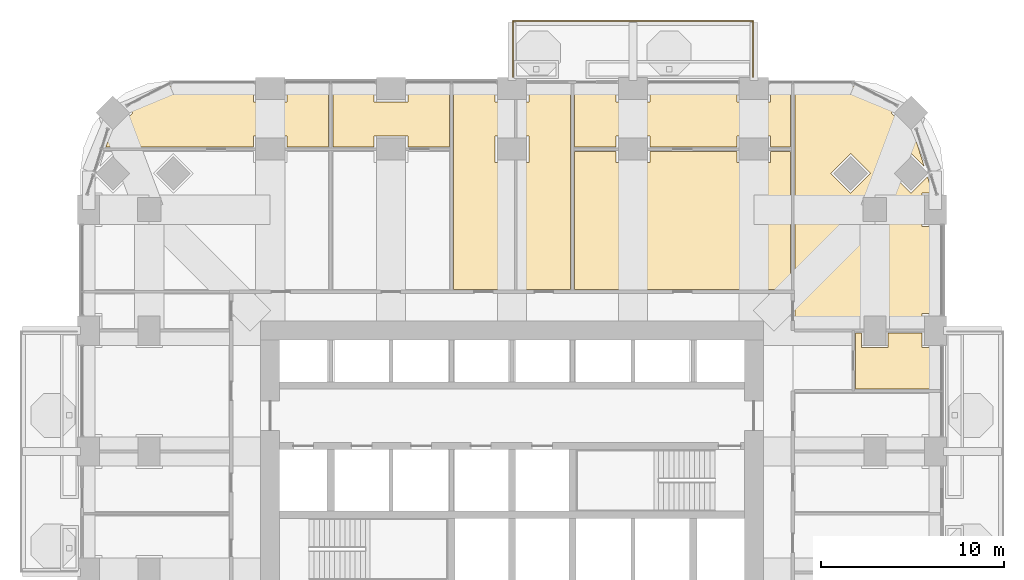
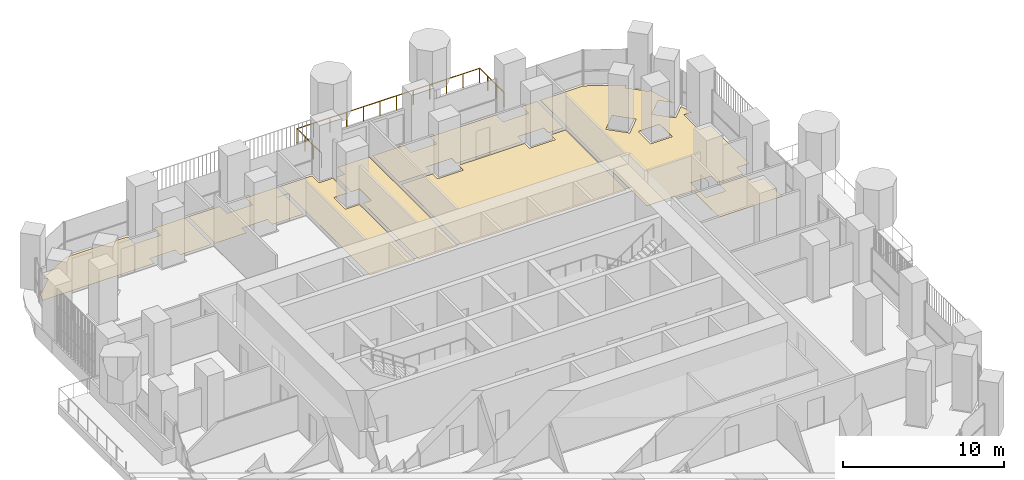
# One storey, part 21 of 22: 8 coverings, 1 railing.
"""IFC4 building model written with IfcOpenShell, lengths in metres."""

import ifcopenshell
import ifcopenshell.guid

model = None  # the IFC model being written
_history = None  # IfcOwnerHistory: only IFC2X3 demands one
_inside = {}  # id of a spatial element -> (the spatial element, [elements in it])
_under = {}  # id of a project, library or spatial element -> (it, [spatial elements below it])
_declared = {}  # id of a project -> (the project, [libraries it declares])
_typed = {}  # id of a type object -> (the type object, [elements of that type])
_made_of = {}  # id of a material, layer set ... -> (it, [elements and type objects made of it])


def new_model(schema):
    """Start an empty IFC model of exactly this schema.

    Asked for "IFC4X3", IfcOpenShell would pick the latest addendum, in which some entities
    have other attributes; the version numbers below select the first issue.
    IFC2X3 requires an IfcOwnerHistory on every rooted entity: one is made here for all.
    """
    global model, _history
    if schema == "IFC4X3":
        model = ifcopenshell.file(schema_version=(4, 3, 0, 0))
    else:
        model = ifcopenshell.file(schema=schema)
    _inside.clear()
    _under.clear()
    _declared.clear()
    _typed.clear()
    _made_of.clear()
    _history = None
    if model.schema == "IFC2X3":
        org = make("IfcOrganization", Name="unknown")
        user = make(
            "IfcPersonAndOrganization",
            ThePerson=make("IfcPerson", FamilyName="unknown"),
            TheOrganization=org,
        )
        app = make(
            "IfcApplication",
            ApplicationDeveloper=org,
            Version="unknown",
            ApplicationFullName="unknown",
            ApplicationIdentifier="unknown",
        )
        _history = make(
            "IfcOwnerHistory",
            OwningUser=user,
            OwningApplication=app,
            ChangeAction="ADDED",
            CreationDate=0,
        )
    return model


def make(cls, **values):
    """One entity of the class cls with the attributes given. An attribute that is None is left unset."""
    return model.create_entity(
        cls, **{name: value for name, value in values.items() if value is not None}
    )


def rooted(cls, **values):
    """An entity with a GlobalId (a new one), such as an element, a storey or a relation."""
    return make(cls, GlobalId=ifcopenshell.guid.new(), OwnerHistory=_history, **values)


def si_unit(unit_type, name, prefix=None):
    """IfcSIUnit, for example si_unit("LENGTHUNIT", "METRE", prefix="MILLI")."""
    return make("IfcSIUnit", UnitType=unit_type, Prefix=prefix, Name=name)


def assignment(units):
    """IfcUnitAssignment: the units of a project."""
    return None if units is None else make("IfcUnitAssignment", Units=units)


def point(xyz):
    """IfcCartesianPoint."""
    return None if xyz is None else make("IfcCartesianPoint", Coordinates=xyz)


def direction(xyz):
    """IfcDirection."""
    return None if xyz is None else make("IfcDirection", DirectionRatios=xyz)


def frame(location, z_axis=None, x_axis=None):
    """IfcAxis2Placement3D, a coordinate frame: its origin and axes. An axis left out is left unset."""
    return make(
        "IfcAxis2Placement3D",
        Location=point(location),
        Axis=direction(z_axis),
        RefDirection=direction(x_axis),
    )


def origin():
    """The frame at (0, 0, 0) with its axes left unset."""
    return frame((0.0, 0.0, 0.0))


def place(relative_to, where):
    """IfcLocalPlacement: puts the frame where relative to a parent placement (None: the world)."""
    return make(
        "IfcLocalPlacement", PlacementRelTo=relative_to, RelativePlacement=where
    )


def context(
    kind, dimensions, precision=None, world=None, true_north=None, identifier=None
):
    """IfcGeometricRepresentationContext, for example the 3D "Model" context."""
    return make(
        "IfcGeometricRepresentationContext",
        ContextIdentifier=identifier,
        ContextType=kind,
        CoordinateSpaceDimension=dimensions,
        Precision=precision,
        WorldCoordinateSystem=world,
        TrueNorth=true_north,
    )


def subcontext(parent, identifier, kind, view, scale=None):
    """IfcGeometricRepresentationSubContext, for example "Body" below "Model"."""
    return make(
        "IfcGeometricRepresentationSubContext",
        ContextIdentifier=identifier,
        ContextType=kind,
        ParentContext=parent,
        TargetScale=scale,
        TargetView=view,
    )


def project(units=None, contexts=None):
    """IfcProject with its units and contexts."""
    return rooted(
        "IfcProject",
        Name="project",
        RepresentationContexts=contexts,
        UnitsInContext=assignment(units),
    )


def spatial(cls, under=None, at=None, **own):
    """A site, building, storey or space (cls), placed at a placement, below another one or the project."""
    s = rooted(cls, ObjectPlacement=at, **own)
    if under is not None:
        _under.setdefault(under.id(), (under, []))[1].append(s)
    return s


def polyline(points):
    """IfcPolyline through the points."""
    return make("IfcPolyline", Points=[point(p) for p in points])


def outline(outer, holes=None, kind="AREA"):
    """IfcArbitraryClosedProfileDef: a profile drawn as a closed curve; with holes, ...WithVoids."""
    if holes is None:
        return make("IfcArbitraryClosedProfileDef", ProfileType=kind, OuterCurve=outer)
    return make(
        "IfcArbitraryProfileDefWithVoids",
        ProfileType=kind,
        OuterCurve=outer,
        InnerCurves=holes,
    )


def extrude(swept, where, along, depth):
    """IfcExtrudedAreaSolid: the profile swept, set in the frame where, extruded along a direction by depth."""
    return make(
        "IfcExtrudedAreaSolid",
        SweptArea=swept,
        Position=where,
        ExtrudedDirection=direction(along),
        Depth=depth,
    )


def shape(context_of_items, identifier, shape_type, items):
    """IfcShapeRepresentation: the items that make up one representation, for example the "Body"."""
    return make(
        "IfcShapeRepresentation",
        ContextOfItems=context_of_items,
        RepresentationIdentifier=identifier,
        RepresentationType=shape_type,
        Items=items,
    )


def material(Name=None, Category=None):
    """IfcMaterial."""
    return make("IfcMaterial", Name=Name, Category=Category)


def layer(
    of_material, thickness, ventilated=None, Name=None, Category=None, Priority=None
):
    """IfcMaterialLayer: one layer of a wall or slab, of a material (None: an air gap)."""
    return make(
        "IfcMaterialLayer",
        Material=of_material,
        LayerThickness=thickness,
        IsVentilated=ventilated,
        Name=Name,
        Category=Category,
        Priority=Priority,
    )


def layer_set(layers, Name=None):
    """IfcMaterialLayerSet."""
    return make("IfcMaterialLayerSet", MaterialLayers=layers, LayerSetName=Name)


def made_of(thing, what):
    """Note that an element or type object is made of a material, layer set ...; save() writes the relation."""
    if what is not None:
        _made_of.setdefault(what.id(), (what, []))[1].append(thing)
    return thing


def type_object(cls, material=None, **own):
    """A type object (cls), such as IfcWallType, which elements share."""
    return made_of(rooted(cls, **own), material)


def element(
    cls,
    number,
    at=None,
    inside=None,
    cuts=None,
    type_object=None,
    material=None,
    context=None,
    identifier="Body",
    shape_type=None,
    held_by="IfcProductDefinitionShape",
    body=None,
    shapes=None,
    **own,
):
    """One element of the class cls, such as IfcWall. Its Tag is "e" and its number.

    at: its placement. inside: the storey or other place that contains it. cuts: it is an
    opening in that element (IfcRelVoidsElement). A single representation is given by context,
    identifier, shape_type and body (its items); several are given by shapes. held_by: the class
    of the entity that holds the representations. save() writes the other relations.
    """
    e = rooted(cls, Tag="e%d" % number, ObjectPlacement=at, **own)
    if body is not None:
        shapes = [shape(context, identifier, shape_type, body)]
    if shapes is not None:
        e.Representation = make(held_by, Representations=shapes)
    if inside is not None:
        _inside.setdefault(inside.id(), (inside, []))[1].append(e)
    if cuts is not None:
        rooted(
            "IfcRelVoidsElement", RelatingBuildingElement=cuts, RelatedOpeningElement=e
        )
    if type_object is not None:
        _typed.setdefault(type_object.id(), (type_object, []))[1].append(e)
    return made_of(e, material)


def aggregate(whole, parts):
    """IfcRelAggregates: a whole, such as a stair, and the parts it consists of."""
    return rooted("IfcRelAggregates", RelatingObject=whole, RelatedObjects=parts)


def save(model, path):
    """Write the relations noted so far, then the file.

    IfcRelAggregates (storeys below a building ...), IfcRelContainedInSpatialStructure (elements
    in a storey), IfcRelDefinesByType, IfcRelAssociatesMaterial and IfcRelDeclares: one each for
    every whole, place, type object, material and project.
    """
    for whole, parts in _under.values():
        aggregate(whole, parts)
    for where, things in _inside.values():
        rooted(
            "IfcRelContainedInSpatialStructure",
            RelatedElements=things,
            RelatingStructure=where,
        )
    for kind, things in _typed.values():
        rooted("IfcRelDefinesByType", RelatedObjects=things, RelatingType=kind)
    for what, things in _made_of.values():
        rooted("IfcRelAssociatesMaterial", RelatedObjects=things, RelatingMaterial=what)
    for by, libraries in _declared.values():
        rooted("IfcRelDeclares", RelatingContext=by, RelatedDefinitions=libraries)
    model.write(path)


model = new_model("IFC4")

# Units and contexts
model_context = context("Model", 3, precision=1e-05, world=origin(), true_north=direction((0.0, 1.0)))
body_context = subcontext(model_context, "Body", "Model", "MODEL_VIEW")
ifc_project = project(units=[si_unit("LENGTHUNIT", "METRE"), si_unit("AREAUNIT", "SQUARE_METRE"), si_unit("VOLUMEUNIT", "CUBIC_METRE"), si_unit("PLANEANGLEUNIT", "RADIAN"), si_unit("MASSUNIT", "GRAM", prefix="KILO")], contexts=[model_context])

# Site, building, storey
site_placement = place(None, origin())
site = spatial("IfcSite", under=ifc_project, at=site_placement, CompositionType="ELEMENT")
building_placement = place(site_placement, origin())
building = spatial("IfcBuilding", under=site, at=building_placement, Name="Cobogo Forest Laboratory Tower", CompositionType="ELEMENT")
storey_placement = place(building_placement, frame((0.0, 0.0, 136.800048828125)))
storey = spatial("IfcBuildingStorey", under=building, at=storey_placement, Name="L31", CompositionType="ELEMENT", Elevation=136.800048828125)

# Railing
ifc_material_1 = material(Name="Laminated glass balustrade", Category="glass")
railing_type = type_object("IfcRailingType", Name="BG1 glass balustrade 1100", PredefinedType="GUARDRAIL", material=ifc_material_1)
railing_placement = place(storey_placement, frame((26.449951171875, 46.85009765625, 0.0)))
element("IfcRailing", 1, at=railing_placement, inside=storey, type_object=railing_type, Name="Balcony balustrade BAL-N1 L31", PredefinedType="GUARDRAIL", context=body_context, shape_type="SweptSolid", body=[
    extrude(outline(polyline([(0.022216796875, 0.00927734375), (0.00927734375, 0.022216796875), (-0.00927734375, 0.022216796875), (-0.022216796875, 0.00927734375), (-0.022216796875, -0.00927734375), (-0.00927734375, -0.022216796875), (0.00927734375, -0.022216796875), (0.022216796875, -0.00927734375), (0.022216796875, 0.00927734375)])), frame((0.0, 0.0, 1.077880859375), z_axis=(0.0, 1.0, 0.0), x_axis=(-1.0, 0.0, 0.0)), (0.0, 0.0, 1.0), 3.0498046875),
    extrude(outline(polyline([(0.022216796875, 0.00927734375), (0.00927734375, 0.022216796875), (-0.00927734375, 0.022216796875), (-0.022216796875, 0.00927734375), (-0.022216796875, -0.00927734375), (-0.00927734375, -0.022216796875), (0.00927734375, -0.022216796875), (0.022216796875, -0.00927734375), (0.022216796875, 0.00927734375)])), frame((0.0, 3.0498046875, 1.077880859375), z_axis=(1.0, 0.0, 0.0), x_axis=(0.0, 1.0, 0.0)), (0.0, 0.0, 1.0), 13.10009765625),
    extrude(outline(polyline([(0.022216796875, 0.00927734375), (0.00927734375, 0.022216796875), (-0.00927734375, 0.022216796875), (-0.022216796875, 0.00927734375), (-0.022216796875, -0.00927734375), (-0.00927734375, -0.022216796875), (0.00927734375, -0.022216796875), (0.022216796875, -0.00927734375), (0.022216796875, 0.00927734375)])), frame((13.10009765625, 3.0498046875, 1.077880859375), z_axis=(0.0, -1.0, 0.0), x_axis=(1.0, 0.0, 0.0)), (0.0, 0.0, 1.0), 3.0498046875),
    extrude(outline(polyline([(0.019287109375, 0.008056640625), (0.008056640625, 0.019287109375), (-0.008056640625, 0.019287109375), (-0.019287109375, 0.008056640625), (-0.019287109375, -0.008056640625), (-0.008056640625, -0.019287109375), (0.008056640625, -0.019287109375), (0.019287109375, -0.008056640625), (0.019287109375, 0.008056640625)])), origin(), (0.0, 0.0, 1.0), 1.077880859375),
    extrude(outline(polyline([(0.019287109375, 0.008056640625), (0.008056640625, 0.019287109375), (-0.008056640625, 0.019287109375), (-0.019287109375, 0.008056640625), (-0.019287109375, -0.008056640625), (-0.008056640625, -0.019287109375), (0.008056640625, -0.019287109375), (0.019287109375, -0.008056640625), (0.019287109375, 0.008056640625)])), frame((0.0, 1.0166015625, 0.0)), (0.0, 0.0, 1.0), 1.077880859375),
    extrude(outline(polyline([(0.019287109375, 0.008056640625), (0.008056640625, 0.019287109375), (-0.008056640625, 0.019287109375), (-0.019287109375, 0.008056640625), (-0.019287109375, -0.008056640625), (-0.008056640625, -0.019287109375), (0.008056640625, -0.019287109375), (0.019287109375, -0.008056640625), (0.019287109375, 0.008056640625)])), frame((0.0, 2.033203125, 0.0)), (0.0, 0.0, 1.0), 1.077880859375),
    extrude(outline(polyline([(0.019287109375, 0.008056640625), (0.008056640625, 0.019287109375), (-0.008056640625, 0.019287109375), (-0.019287109375, 0.008056640625), (-0.019287109375, -0.008056640625), (-0.008056640625, -0.019287109375), (0.008056640625, -0.019287109375), (0.019287109375, -0.008056640625), (0.019287109375, 0.008056640625)])), frame((0.0, 3.0498046875, 0.0)), (0.0, 0.0, 1.0), 1.077880859375),
    extrude(outline(polyline([(0.019287109375, 0.008056640625), (0.008056640625, 0.019287109375), (-0.008056640625, 0.019287109375), (-0.019287109375, 0.008056640625), (-0.019287109375, -0.008056640625), (-0.008056640625, -0.019287109375), (0.008056640625, -0.019287109375), (0.019287109375, -0.008056640625), (0.019287109375, 0.008056640625)])), frame((1.19091796875, 3.0498046875, 0.0)), (0.0, 0.0, 1.0), 1.077880859375),
    extrude(outline(polyline([(0.019287109375, 0.008056640625), (0.008056640625, 0.019287109375), (-0.008056640625, 0.019287109375), (-0.019287109375, 0.008056640625), (-0.019287109375, -0.008056640625), (-0.008056640625, -0.019287109375), (0.008056640625, -0.019287109375), (0.019287109375, -0.008056640625), (0.019287109375, 0.008056640625)])), frame((2.3818359375, 3.0498046875, 0.0)), (0.0, 0.0, 1.0), 1.077880859375),
    extrude(outline(polyline([(0.019287109375, 0.008056640625), (0.008056640625, 0.019287109375), (-0.008056640625, 0.019287109375), (-0.019287109375, 0.008056640625), (-0.019287109375, -0.008056640625), (-0.008056640625, -0.019287109375), (0.008056640625, -0.019287109375), (0.019287109375, -0.008056640625), (0.019287109375, 0.008056640625)])), frame((3.57275390625, 3.0498046875, 0.0)), (0.0, 0.0, 1.0), 1.077880859375),
    extrude(outline(polyline([(0.019287109375, 0.008056640625), (0.008056640625, 0.019287109375), (-0.008056640625, 0.019287109375), (-0.019287109375, 0.008056640625), (-0.019287109375, -0.008056640625), (-0.008056640625, -0.019287109375), (0.008056640625, -0.019287109375), (0.019287109375, -0.008056640625), (0.019287109375, 0.008056640625)])), frame((4.763671875, 3.0498046875, 0.0)), (0.0, 0.0, 1.0), 1.077880859375),
    extrude(outline(polyline([(0.019287109375, 0.008056640625), (0.008056640625, 0.019287109375), (-0.008056640625, 0.019287109375), (-0.019287109375, 0.008056640625), (-0.019287109375, -0.008056640625), (-0.008056640625, -0.019287109375), (0.008056640625, -0.019287109375), (0.019287109375, -0.008056640625), (0.019287109375, 0.008056640625)])), frame((5.95458984375, 3.0498046875, 0.0)), (0.0, 0.0, 1.0), 1.077880859375),
    extrude(outline(polyline([(0.019287109375, 0.008056640625), (0.008056640625, 0.019287109375), (-0.008056640625, 0.019287109375), (-0.019287109375, 0.008056640625), (-0.019287109375, -0.008056640625), (-0.008056640625, -0.019287109375), (0.008056640625, -0.019287109375), (0.019287109375, -0.008056640625), (0.019287109375, 0.008056640625)])), frame((7.1455078125, 3.0498046875, 0.0)), (0.0, 0.0, 1.0), 1.077880859375),
    extrude(outline(polyline([(0.019287109375, 0.008056640625), (0.008056640625, 0.019287109375), (-0.008056640625, 0.019287109375), (-0.019287109375, 0.008056640625), (-0.019287109375, -0.008056640625), (-0.008056640625, -0.019287109375), (0.008056640625, -0.019287109375), (0.019287109375, -0.008056640625), (0.019287109375, 0.008056640625)])), frame((8.33642578125, 3.0498046875, 0.0)), (0.0, 0.0, 1.0), 1.077880859375),
    extrude(outline(polyline([(0.019287109375, 0.008056640625), (0.008056640625, 0.019287109375), (-0.008056640625, 0.019287109375), (-0.019287109375, 0.008056640625), (-0.019287109375, -0.008056640625), (-0.008056640625, -0.019287109375), (0.008056640625, -0.019287109375), (0.019287109375, -0.008056640625), (0.019287109375, 0.008056640625)])), frame((9.52734375, 3.0498046875, 0.0)), (0.0, 0.0, 1.0), 1.077880859375),
    extrude(outline(polyline([(0.019287109375, 0.008056640625), (0.008056640625, 0.019287109375), (-0.008056640625, 0.019287109375), (-0.019287109375, 0.008056640625), (-0.019287109375, -0.008056640625), (-0.008056640625, -0.019287109375), (0.008056640625, -0.019287109375), (0.019287109375, -0.008056640625), (0.019287109375, 0.008056640625)])), frame((10.71826171875, 3.0498046875, 0.0)), (0.0, 0.0, 1.0), 1.077880859375),
    extrude(outline(polyline([(0.019287109375, 0.008056640625), (0.008056640625, 0.019287109375), (-0.008056640625, 0.019287109375), (-0.019287109375, 0.008056640625), (-0.019287109375, -0.008056640625), (-0.008056640625, -0.019287109375), (0.008056640625, -0.019287109375), (0.019287109375, -0.008056640625), (0.019287109375, 0.008056640625)])), frame((11.9091796875, 3.0498046875, 0.0)), (0.0, 0.0, 1.0), 1.077880859375),
    extrude(outline(polyline([(0.019287109375, 0.008056640625), (0.008056640625, 0.019287109375), (-0.008056640625, 0.019287109375), (-0.019287109375, 0.008056640625), (-0.019287109375, -0.008056640625), (-0.008056640625, -0.019287109375), (0.008056640625, -0.019287109375), (0.019287109375, -0.008056640625), (0.019287109375, 0.008056640625)])), frame((13.10009765625, 3.0498046875, 0.0)), (0.0, 0.0, 1.0), 1.077880859375),
    extrude(outline(polyline([(0.019287109375, 0.008056640625), (0.008056640625, 0.019287109375), (-0.008056640625, 0.019287109375), (-0.019287109375, 0.008056640625), (-0.019287109375, -0.008056640625), (-0.008056640625, -0.019287109375), (0.008056640625, -0.019287109375), (0.019287109375, -0.008056640625), (0.019287109375, 0.008056640625)])), frame((13.10009765625, 2.033203125, 0.0)), (0.0, 0.0, 1.0), 1.077880859375),
    extrude(outline(polyline([(0.019287109375, 0.008056640625), (0.008056640625, 0.019287109375), (-0.008056640625, 0.019287109375), (-0.019287109375, 0.008056640625), (-0.019287109375, -0.008056640625), (-0.008056640625, -0.019287109375), (0.008056640625, -0.019287109375), (0.019287109375, -0.008056640625), (0.019287109375, 0.008056640625)])), frame((13.10009765625, 1.0166015625, 0.0)), (0.0, 0.0, 1.0), 1.077880859375),
    extrude(outline(polyline([(0.019287109375, 0.008056640625), (0.008056640625, 0.019287109375), (-0.008056640625, 0.019287109375), (-0.019287109375, 0.008056640625), (-0.019287109375, -0.008056640625), (-0.008056640625, -0.019287109375), (0.008056640625, -0.019287109375), (0.019287109375, -0.008056640625), (0.019287109375, 0.008056640625)])), frame((13.10009765625, 0.0, 0.0)), (0.0, 0.0, 1.0), 1.077880859375),
])

# Coverings
ifc_material_2 = material(Name="Carpet tile on raised access floor", Category="flooring")
ifc_layer_1 = layer(ifc_material_2, 0.008056640625)
ifc_layer_set_1 = layer_set([ifc_layer_1], Name="CT1 carpet tile floor 8")
covering_type_1 = type_object("IfcCoveringType", Name="CT1 carpet tile floor 8", PredefinedType="FLOORING", material=ifc_layer_set_1)
covering_1_placement = place(storey_placement, origin())
element("IfcCovering", 2, at=covering_1_placement, inside=storey, type_object=covering_type_1, Name="Carpet floor L31-13", PredefinedType="FLOORING", context=body_context, shape_type="SweptSolid", body=[
    extrude(outline(polyline([(45.14501953125, 32.8798828125), (45.47998046875, 32.8798828125), (45.47998046875, 32.080078125), (46.919921875, 32.080078125), (46.919921875, 32.8798828125), (48.780029296875, 32.8798828125), (48.780029296875, 32.080078125), (49.64990234375, 32.080078125), (49.64990234375, 29.820068359375), (45.14501953125, 29.820068359375), (45.14501953125, 32.8798828125)])), origin(), (0.0, 0.0, 1.0), 0.008056640625),
])
covering_2_placement = place(storey_placement, origin())
element("IfcCovering", 3, at=covering_2_placement, inside=storey, type_object=covering_type_1, Name="Carpet floor L31-14", PredefinedType="FLOORING", context=body_context, shape_type="SweptSolid", body=[
    extrude(outline(polyline([(41.844970703125, 46.35009765625), (44.95068359375, 46.35009765625), (47.3193359375, 45.1083984375), (47.093017578125, 44.882080078125), (48.181884765625, 43.79296875), (48.283935546875, 43.89501953125), (48.89599609375, 41.95703125), (48.181884765625, 42.6708984375), (47.093017578125, 41.58203125), (48.181884765625, 40.492919921875), (49.075927734375, 41.386962890625), (49.349853515625, 40.52001953125), (48.780029296875, 40.52001953125), (48.780029296875, 38.679931640625), (49.64990234375, 38.679931640625), (49.64990234375, 33.919921875), (48.780029296875, 33.919921875), (48.780029296875, 33.1201171875), (46.919921875, 33.1201171875), (46.919921875, 33.919921875), (45.47998046875, 33.919921875), (45.47998046875, 33.1201171875), (41.844970703125, 33.1201171875), (41.844970703125, 46.35009765625)]), holes=[polyline([(45.429931640625, 40.3701171875), (45.429931640625, 38.830078125), (46.969970703125, 38.830078125), (46.969970703125, 40.3701171875), (45.429931640625, 40.3701171875)]), polyline([(43.79296875, 41.58203125), (44.882080078125, 40.492919921875), (45.970947265625, 41.58203125), (44.882080078125, 42.6708984375), (43.79296875, 41.58203125)])]), origin(), (0.0, 0.0, 1.0), 0.008056640625),
])
covering_3_placement = place(storey_placement, origin())
element("IfcCovering", 4, at=covering_3_placement, inside=storey, type_object=covering_type_1, Name="Carpet floor L31-16", PredefinedType="FLOORING", context=body_context, shape_type="SweptSolid", body=[
    extrude(outline(polyline([(14.1201171875, 43.02001953125), (14.1201171875, 43.6201171875), (12.280029296875, 43.6201171875), (12.280029296875, 43.02001953125), (4.23974609375, 43.02001953125), (4.51611328125, 43.89501953125), (4.617919921875, 43.79296875), (5.70703125, 44.882080078125), (5.480712890625, 45.1083984375), (7.84912109375, 46.35009765625), (12.280029296875, 46.35009765625), (12.280029296875, 45.47998046875), (14.1201171875, 45.47998046875), (14.1201171875, 46.35009765625), (16.3798828125, 46.35009765625), (16.3798828125, 43.02001953125), (14.1201171875, 43.02001953125)])), origin(), (0.0, 0.0, 1.0), 0.008056640625),
])
covering_4_placement = place(storey_placement, origin())
element("IfcCovering", 5, at=covering_4_placement, inside=storey, type_object=covering_type_1, Name="Carpet floor L31-18", PredefinedType="FLOORING", context=body_context, shape_type="SweptSolid", body=[
    extrude(outline(polyline([(20.719970703125, 43.02001953125), (20.719970703125, 43.6201171875), (18.8798828125, 43.6201171875), (18.8798828125, 43.02001953125), (16.6201171875, 43.02001953125), (16.6201171875, 46.35009765625), (18.8798828125, 46.35009765625), (18.8798828125, 45.47998046875), (20.719970703125, 45.47998046875), (20.719970703125, 46.35009765625), (22.97998046875, 46.35009765625), (22.97998046875, 43.02001953125), (20.719970703125, 43.02001953125)])), origin(), (0.0, 0.0, 1.0), 0.008056640625),
])
covering_5_placement = place(storey_placement, origin())
element("IfcCovering", 6, at=covering_5_placement, inside=storey, type_object=covering_type_1, Name="Carpet floor L31-19", PredefinedType="FLOORING", context=body_context, shape_type="SweptSolid", body=[
    extrude(outline(polyline([(23.219970703125, 35.2451171875), (23.219970703125, 46.35009765625), (25.47998046875, 46.35009765625), (25.47998046875, 45.47998046875), (26.47998046875, 45.47998046875), (26.47998046875, 43.6201171875), (25.47998046875, 43.6201171875), (25.47998046875, 42.179931640625), (26.47998046875, 42.179931640625), (26.47998046875, 35.2451171875), (23.219970703125, 35.2451171875)])), origin(), (0.0, 0.0, 1.0), 0.008056640625),
])
covering_6_placement = place(storey_placement, origin())
element("IfcCovering", 7, at=covering_6_placement, inside=storey, type_object=covering_type_1, Name="Carpet floor L31-21", PredefinedType="FLOORING", context=body_context, shape_type="SweptSolid", body=[
    extrude(outline(polyline([(29.820068359375, 42.780029296875), (32.080078125, 42.780029296875), (32.080078125, 42.179931640625), (33.919921875, 42.179931640625), (33.919921875, 42.780029296875), (38.679931640625, 42.780029296875), (38.679931640625, 42.179931640625), (40.52001953125, 42.179931640625), (40.52001953125, 42.780029296875), (41.60498046875, 42.780029296875), (41.60498046875, 35.2451171875), (29.820068359375, 35.2451171875), (29.820068359375, 42.780029296875)])), origin(), (0.0, 0.0, 1.0), 0.008056640625),
])
covering_7_placement = place(storey_placement, origin())
element("IfcCovering", 8, at=covering_7_placement, inside=storey, type_object=covering_type_1, Name="Carpet floor L31-22", PredefinedType="FLOORING", context=body_context, shape_type="SweptSolid", body=[
    extrude(outline(polyline([(40.52001953125, 43.02001953125), (40.52001953125, 43.6201171875), (38.679931640625, 43.6201171875), (38.679931640625, 43.02001953125), (33.919921875, 43.02001953125), (33.919921875, 43.6201171875), (32.080078125, 43.6201171875), (32.080078125, 43.02001953125), (29.820068359375, 43.02001953125), (29.820068359375, 46.35009765625), (32.080078125, 46.35009765625), (32.080078125, 45.47998046875), (33.919921875, 45.47998046875), (33.919921875, 46.35009765625), (38.679931640625, 46.35009765625), (38.679931640625, 45.47998046875), (40.52001953125, 45.47998046875), (40.52001953125, 46.35009765625), (41.60498046875, 46.35009765625), (41.60498046875, 43.02001953125), (40.52001953125, 43.02001953125)])), origin(), (0.0, 0.0, 1.0), 0.008056640625),
])
ifc_material_3 = material(Name="Ceramic floor tile", Category="flooring")
ifc_layer_2 = layer(ifc_material_3, 0.010009765625)
ifc_layer_set_2 = layer_set([ifc_layer_2], Name="TF1 ceramic tile floor 10")
covering_type_2 = type_object("IfcCoveringType", Name="TF1 ceramic tile floor 10", PredefinedType="FLOORING", material=ifc_layer_set_2)
covering_8_placement = place(storey_placement, origin())
element("IfcCovering", 9, at=covering_8_placement, inside=storey, type_object=covering_type_2, Name="Tile floor L31-20", PredefinedType="FLOORING", context=body_context, shape_type="SweptSolid", body=[
    extrude(outline(polyline([(26.719970703125, 35.2451171875), (26.719970703125, 42.179931640625), (27.320068359375, 42.179931640625), (27.320068359375, 43.6201171875), (26.719970703125, 43.6201171875), (26.719970703125, 45.47998046875), (27.320068359375, 45.47998046875), (27.320068359375, 46.35009765625), (29.580078125, 46.35009765625), (29.580078125, 35.2451171875), (26.719970703125, 35.2451171875)])), origin(), (0.0, 0.0, 1.0), 0.010009765625),
])

save(model, "model.ifc")
